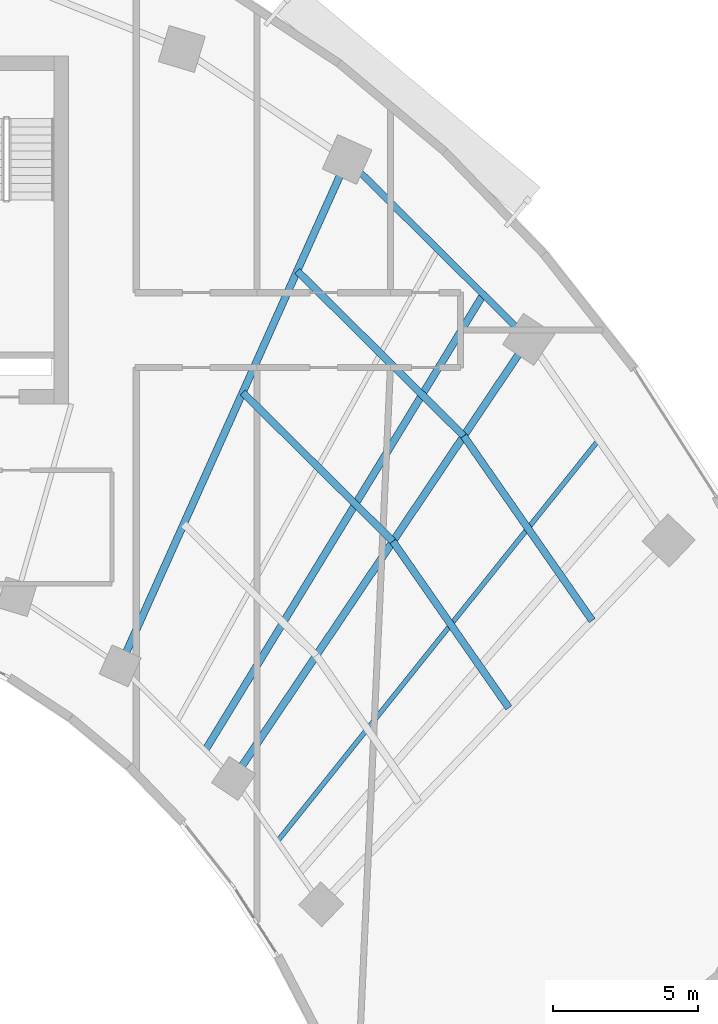
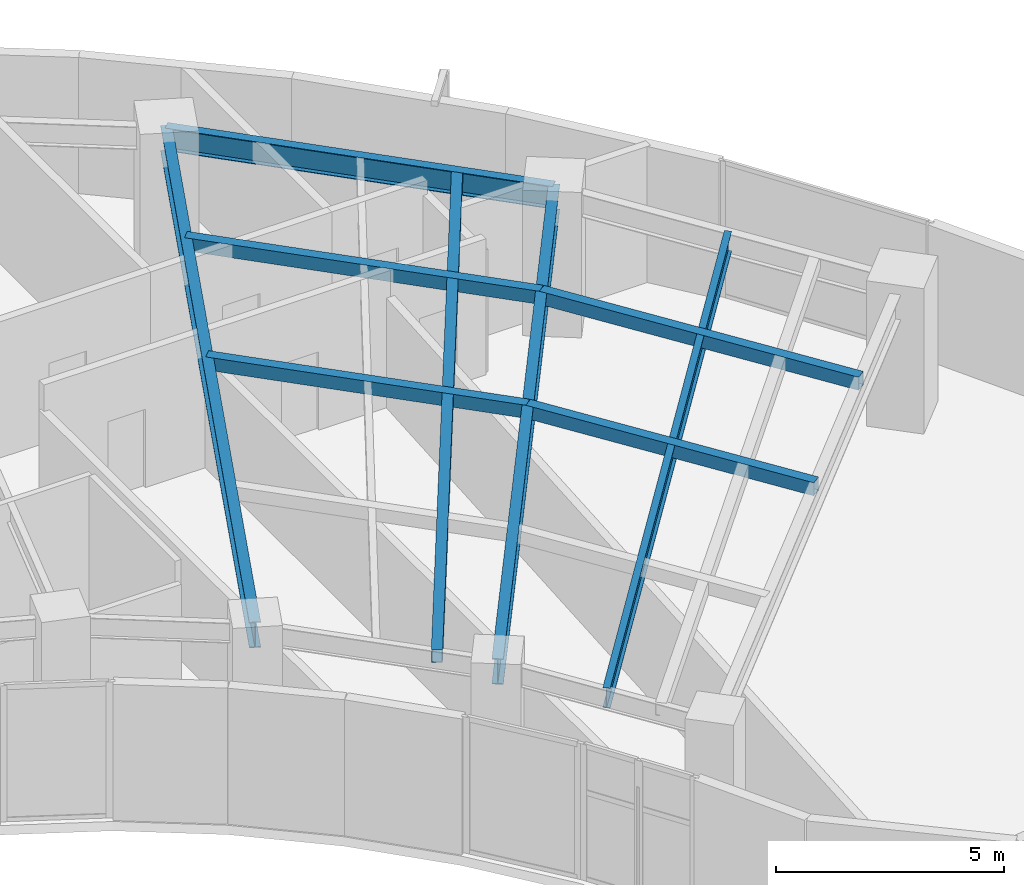
# One storey, part 4 of 14: 9 beams.
"""IFC4 building model written with IfcOpenShell, lengths in metres."""

from ifc_helpers import new_model, si_unit, direction, frame, origin, origin_2d, place, context, subcontext, project, spatial, hollow_rectangle, i_section, extrude, source, transform, mapped, material, material_profile, profile_set, type_object, element, save


model = new_model("IFC4")

# Units and contexts
model_context = context("Model", 3, precision=1e-05, world=origin(), true_north=direction((0.0, 1.0)))
body_context = subcontext(model_context, "Body", "Model", "MODEL_VIEW")
ifc_project = project(units=[si_unit("LENGTHUNIT", "METRE"), si_unit("AREAUNIT", "SQUARE_METRE"), si_unit("VOLUMEUNIT", "CUBIC_METRE"), si_unit("PLANEANGLEUNIT", "RADIAN"), si_unit("MASSUNIT", "GRAM", prefix="KILO")], contexts=[model_context])

# Site, building, storey
site_placement = place(None, origin())
site = spatial("IfcSite", under=ifc_project, at=site_placement, CompositionType="ELEMENT")
building_placement = place(site_placement, origin())
building = spatial("IfcBuilding", under=site, at=building_placement, Name="Breltana Convention Tower", CompositionType="ELEMENT")
storey_placement = place(building_placement, frame((0.0, 0.0, 138.89990234375)))
storey = spatial("IfcBuildingStorey", under=building, at=storey_placement, Name="L33", CompositionType="ELEMENT", Elevation=138.89990234375)

# Beams
ifc_material = material(Name="Steel ASTM A992 Grade 50", Category="steel")
ifc_material_profile_1 = material_profile(ifc_material, i_section(OverallWidth=0.25390625, OverallDepth=0.68798828125, WebThickness=0.01318359375, FlangeThickness=0.02099609375, at=origin_2d()), Name="W27X102")
ifc_profile_set_1 = profile_set([ifc_material_profile_1], Name="Steel ASTM A992 Grade 50")
beam_type_1 = type_object("IfcBeamType", Name="BM-RG-W27X102", PredefinedType="USERDEFINED", material=ifc_profile_set_1)
shared_shape_1 = source(origin(), body_context, "Body", "SweptSolid", [
    extrude(i_section(OverallWidth=0.25390625, OverallDepth=0.68798828125, WebThickness=0.01318359375, FlangeThickness=0.02099609375, at=origin_2d()), origin(), (0.0, 0.0, 1.0), 19.133544921875),
])
beam_1_placement = place(storey_placement, frame((61.08203125, 51.174560546875, 3.30615234375), z_axis=(0.409144564164, 0.912469575172, 0.0), x_axis=(-0.912469575172, 0.409144564164, 0.0)))
element("IfcBeam", 1, at=beam_1_placement, inside=storey, type_object=beam_type_1, Name="L33 Radial Floor Girder R09", ObjectType="GIRDER", PredefinedType="USERDEFINED", context=body_context, shape_type="MappedRepresentation", body=[
    mapped(shared_shape_1, transform((0.0, 0.0, 0.0), scale=1.0)),
])
shared_shape_2 = source(origin(), body_context, "Body", "SweptSolid", [
    extrude(i_section(OverallWidth=0.25390625, OverallDepth=0.68798828125, WebThickness=0.01318359375, FlangeThickness=0.02099609375, at=origin_2d()), origin(), (0.0, 0.0, 1.0), 18.236328125),
])
beam_2_placement = place(storey_placement, frame((64.995849609375, 47.293701171875, 3.30615234375), z_axis=(0.557730360975, 0.830022195153, 0.0), x_axis=(-0.830022195153, 0.557730360975, 0.0)))
element("IfcBeam", 2, at=beam_2_placement, inside=storey, type_object=beam_type_1, Name="L33 Radial Floor Girder R10", ObjectType="GIRDER", PredefinedType="USERDEFINED", context=body_context, shape_type="MappedRepresentation", body=[
    mapped(shared_shape_2, transform((0.0, 0.0, 0.0), scale=1.0)),
])
ifc_material_profile_2 = material_profile(ifc_material, i_section(OverallWidth=0.22802734375, OverallDepth=0.60791015625, WebThickness=0.01123046875, FlangeThickness=0.017333984375, at=origin_2d()), Name="W24X76")
ifc_profile_set_2 = profile_set([ifc_material_profile_2], Name="Steel ASTM A992 Grade 50")
beam_type_2 = type_object("IfcBeamType", Name="BM-SP-W24X76", PredefinedType="SPANDREL", material=ifc_profile_set_2)
shared_shape_3 = source(origin(), body_context, "Body", "SweptSolid", [
    extrude(i_section(OverallWidth=0.22802734375, OverallDepth=0.60791015625, WebThickness=0.01123046875, FlangeThickness=0.017333984375, at=origin_2d()), origin(), (0.0, 0.0, 1.0), 8.810302734375),
])
beam_3_placement = place(storey_placement, frame((68.910400390625, 68.63330078125, 3.34619140625), z_axis=(0.710120823582, -0.704079836322, 0.0), x_axis=(0.704079836322, 0.710120823582, 0.0)))
element("IfcBeam", 3, at=beam_3_placement, inside=storey, type_object=beam_type_2, Name="L33 Outer Spandrel Beam 09", PredefinedType="SPANDREL", context=body_context, shape_type="MappedRepresentation", body=[
    mapped(shared_shape_3, transform((0.0, 0.0, 0.0), scale=1.0)),
])
ifc_material_profile_3 = material_profile(ifc_material, hollow_rectangle(XDim=0.25, YDim=0.35009765625, WallThickness=0.011962890625, at=origin_2d()), Name="RHS350X250X12")
ifc_profile_set_3 = profile_set([ifc_material_profile_3], Name="Steel ASTM A992 Grade 50")
beam_type_3 = type_object("IfcBeamType", Name="BM-JSG-12", PredefinedType="JOIST", material=ifc_profile_set_3)
shared_shape_4 = source(origin(), body_context, "Body", "SweptSolid", [
    extrude(hollow_rectangle(XDim=0.25, YDim=0.35009765625, WallThickness=0.011962890625, at=origin_2d()), origin(), (0.0, 0.0, 1.0), 7.29296875),
])
beam_4_placement = place(storey_placement, frame((65.309326171875, 60.602294921875, 3.47509765625), z_axis=(0.710096551013, -0.704104316305, 0.0), x_axis=(0.704104316305, 0.710096551013, 0.0)))
element("IfcBeam", 4, at=beam_4_placement, inside=storey, type_object=beam_type_3, Name="L33 Composite Floor Joist 09.2", PredefinedType="JOIST", context=body_context, shape_type="MappedRepresentation", body=[
    mapped(shared_shape_4, transform((0.0, 0.0, 0.0), scale=1.0)),
])
shared_shape_5 = source(origin(), body_context, "Body", "SweptSolid", [
    extrude(hollow_rectangle(XDim=0.25, YDim=0.35009765625, WallThickness=0.011962890625, at=origin_2d()), origin(), (0.0, 0.0, 1.0), 8.084716796875),
])
beam_5_placement = place(storey_placement, frame((67.188232421875, 64.79248046875, 3.47509765625), z_axis=(0.710105094548, -0.704095699956, 0.0), x_axis=(0.704095699956, 0.710105094548, 0.0)))
element("IfcBeam", 5, at=beam_5_placement, inside=storey, type_object=beam_type_3, Name="L33 Composite Floor Joist 09.3", PredefinedType="JOIST", context=body_context, shape_type="MappedRepresentation", body=[
    mapped(shared_shape_5, transform((0.0, 0.0, 0.0), scale=1.0)),
])
shared_shape_6 = source(origin(), body_context, "Body", "SweptSolid", [
    extrude(hollow_rectangle(XDim=0.25, YDim=0.35009765625, WallThickness=0.011962890625, at=origin_2d()), origin(), (0.0, 0.0, 1.0), 18.409423828125),
])
beam_6_placement = place(storey_placement, frame((64.017333984375, 48.263916015625, 3.47509765625), z_axis=(0.520682167606, 0.853750596098, 0.0), x_axis=(-0.853750596098, 0.520682167606, 0.0)))
element("IfcBeam", 6, at=beam_6_placement, inside=storey, type_object=beam_type_3, Name="L33 Quarter-Bay Radial Trimmer 09", PredefinedType="JOIST", context=body_context, shape_type="MappedRepresentation", body=[
    mapped(shared_shape_6, transform((0.0, 0.0, 0.0), scale=1.0)),
])
shared_shape_7 = source(origin(), body_context, "Body", "SweptSolid", [
    extrude(hollow_rectangle(XDim=0.25, YDim=0.35009765625, WallThickness=0.011962890625, at=origin_2d()), origin(), (0.0, 0.0, 1.0), 6.99462890625),
])
beam_7_placement = place(storey_placement, frame((70.488037109375, 55.46728515625, 3.47509765625), z_axis=(0.571206630732, -0.820806301759, 0.0), x_axis=(0.820806301759, 0.571206630732, 0.0)))
element("IfcBeam", 7, at=beam_7_placement, inside=storey, type_object=beam_type_3, Name="L33 Composite Floor Joist 10.2", PredefinedType="JOIST", context=body_context, shape_type="MappedRepresentation", body=[
    mapped(shared_shape_7, transform((0.0, 0.0, 0.0), scale=1.0)),
])
shared_shape_8 = source(origin(), body_context, "Body", "SweptSolid", [
    extrude(hollow_rectangle(XDim=0.25, YDim=0.35009765625, WallThickness=0.011962890625, at=origin_2d()), origin(), (0.0, 0.0, 1.0), 7.75390625),
])
beam_8_placement = place(storey_placement, frame((72.92919921875, 59.10009765625, 3.47509765625), z_axis=(0.57119271264, -0.820815987312, 0.0), x_axis=(0.820815987312, 0.57119271264, 0.0)))
element("IfcBeam", 8, at=beam_8_placement, inside=storey, type_object=beam_type_3, Name="L33 Composite Floor Joist 10.3", PredefinedType="JOIST", context=body_context, shape_type="MappedRepresentation", body=[
    mapped(shared_shape_8, transform((0.0, 0.0, 0.0), scale=1.0)),
])
ifc_material_profile_4 = material_profile(ifc_material, i_section(OverallWidth=0.166015625, OverallDepth=0.534912109375, WebThickness=0.01025390625, FlangeThickness=0.0166015625, at=origin_2d()), Name="W21X57")
ifc_profile_set_4 = profile_set([ifc_material_profile_4], Name="Steel ASTM A992 Grade 50")
beam_type_4 = type_object("IfcBeamType", Name="BM-JSG-05", PredefinedType="JOIST", material=ifc_profile_set_4)
shared_shape_9 = source(origin(), body_context, "Body", "SweptSolid", [
    extrude(i_section(OverallWidth=0.166015625, OverallDepth=0.534912109375, WebThickness=0.01025390625, FlangeThickness=0.0166015625, at=origin_2d()), origin(), (0.0, 0.0, 1.0), 17.7236328125),
])
beam_9_placement = place(storey_placement, frame((66.505615234375, 45.124267578125, 3.382568359375), z_axis=(0.624829427563, 0.78076128647, 0.0), x_axis=(-0.78076128647, 0.624829427563, 0.0)))
element("IfcBeam", 9, at=beam_9_placement, inside=storey, type_object=beam_type_4, Name="L33 Mid-Bay Radial Trimmer 10", PredefinedType="JOIST", context=body_context, shape_type="MappedRepresentation", body=[
    mapped(shared_shape_9, transform((0.0, 0.0, 0.0), scale=1.0)),
])

save(model, "model.ifc")
